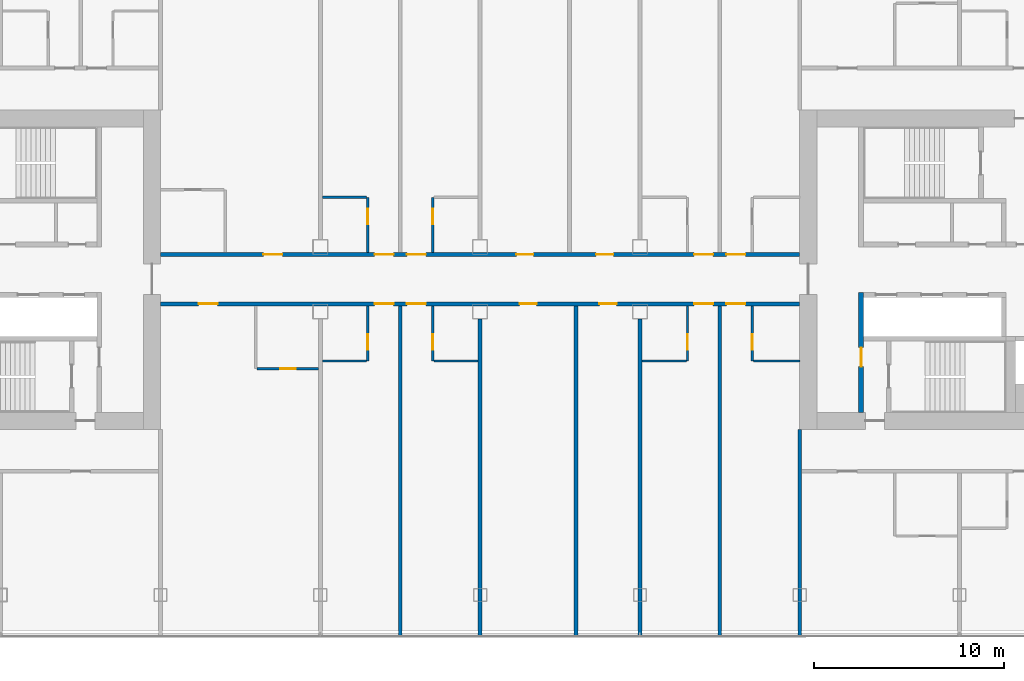
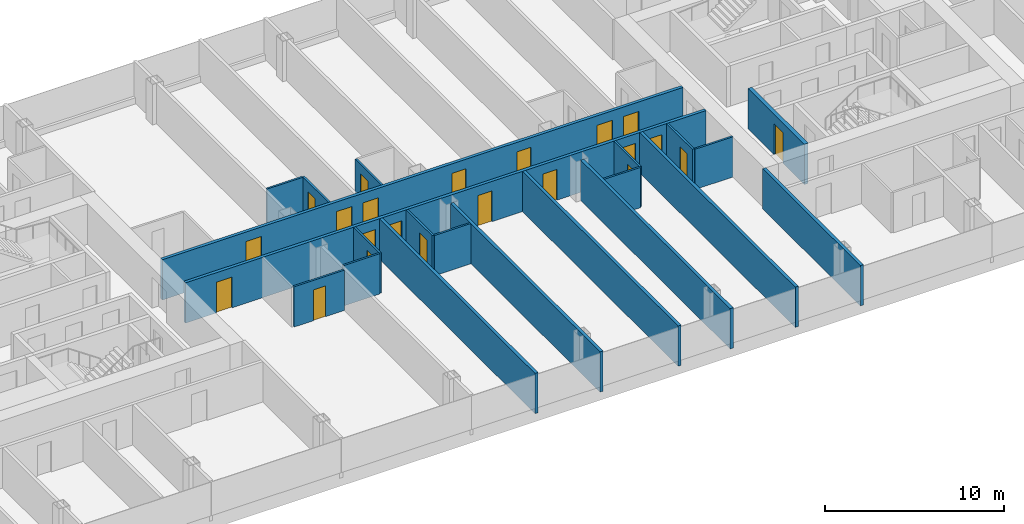
# One storey, part 14 of 26: 22 doors, 21 walls, 22 openings.
"""IFC4 building model written with IfcOpenShell, lengths in metres."""

from ifc_helpers import new_model, si_unit, direction, frame, frame_2d, origin, place, context, subcontext, project, spatial, rectangle, extrude, material, layer, layer_set, type_object, element, fill, save


model = new_model("IFC4")

# Units and contexts
model_context = context("Model", 3, precision=1e-05, world=origin(), true_north=direction((0.0, 1.0)))
body_context = subcontext(model_context, "Body", "Model", "MODEL_VIEW")
ifc_project = project(units=[si_unit("LENGTHUNIT", "METRE"), si_unit("AREAUNIT", "SQUARE_METRE"), si_unit("VOLUMEUNIT", "CUBIC_METRE"), si_unit("PLANEANGLEUNIT", "RADIAN"), si_unit("MASSUNIT", "GRAM", prefix="KILO")], contexts=[model_context])

# Site, building, storey
site_placement = place(None, origin())
site = spatial("IfcSite", under=ifc_project, at=site_placement, CompositionType="ELEMENT")
building_placement = place(site_placement, origin())
building = spatial("IfcBuilding", under=site, at=building_placement, Name="Hakoniwa Tower and Hamabe Station Hall", CompositionType="ELEMENT")
storey_placement = place(building_placement, frame((0.0, 0.0, 153.39990234375)))
storey = spatial("IfcBuildingStorey", under=building, at=storey_placement, Name="L43", CompositionType="ELEMENT", Elevation=153.39990234375)

# Wall, opening, door
ifc_material_1 = material(Name="Gypsum board partition", Category="gypsum")
ifc_layer_1 = layer(ifc_material_1, 0.125)
ifc_layer_set_1 = layer_set([ifc_layer_1], Name="Bathroom Partition 125")
wall_type_1 = type_object("IfcWallType", Name="Bathroom Partition 125", PredefinedType="PARTITIONING", material=ifc_layer_set_1)
wall_1_placement = place(storey_placement, frame((-11.737548828125, -5.199951171875, 0.0), z_axis=(0.0, 0.0, 1.0), x_axis=(1.0, 0.0, 0.0)))
wall_1 = element("IfcWall", 1, at=wall_1_placement, inside=storey, type_object=wall_type_1, Name="GW-L43-009", PredefinedType="PARTITIONING", context=body_context, shape_type="SweptSolid", body=[
    extrude(rectangle(XDim=3.237548828125, YDim=0.125, at=frame_2d((1.61865234375, 0.0))), origin(), (0.0, 0.0, 1.0), 2.75),
])
opening_1_placement = place(wall_1_placement, frame((1.237548828125, 0.0, 0.0)))
opening_1 = element("IfcOpeningElement", 2, at=opening_1_placement, cuts=wall_1, Name="Opening GD-G3C1-16", PredefinedType="OPENING", context=body_context, shape_type="SweptSolid", body=[
    extrude(rectangle(XDim=0.800048828125, YDim=2.10009765625, at=frame_2d((0.39990234375, 1.050048828125))), frame((0.0, 0.072509765625, 0.0), z_axis=(0.0, -1.0, 0.0), x_axis=(1.0, 0.0, 0.0)), (0.0, 0.0, 1.0), 0.14501953125),
])
ifc_material_2 = material(Name="Timber door leaf", Category="wood")
door_type_1 = type_object("IfcDoorType", Name="Bathroom Door 800", OperationType="SINGLE_SWING_LEFT", PredefinedType="DOOR", material=ifc_material_2)
door_1_placement = place(opening_1_placement, origin())
door_1 = element("IfcDoor", 3, at=door_1_placement, inside=storey, type_object=door_type_1, Name="Door GD-G3C1-16", OperationType="SINGLE_SWING_RIGHT", OverallHeight=2.10009765625, OverallWidth=0.800048828125, PredefinedType="DOOR", context=body_context, shape_type="SweptSolid", body=[
    extrude(rectangle(XDim=0.800048828125, YDim=2.10009765625, at=frame_2d((0.39990234375, 1.050048828125))), frame((0.0, 0.02490234375, 0.0), z_axis=(0.0, -1.0, 0.0), x_axis=(1.0, 0.0, 0.0)), (0.0, 0.0, 1.0), 0.050048828125),
])
fill(opening_1, door_1)

# Walls
wall_2_placement = place(storey_placement, frame((-8.300048828125, -4.800048828125, 0.0), z_axis=(0.0, 0.0, 1.0), x_axis=(1.0, 0.0, 0.0)))
element("IfcWall", 4, at=wall_2_placement, inside=storey, type_object=wall_type_1, Name="GW-L43-010", PredefinedType="PARTITIONING", context=body_context, shape_type="SweptSolid", body=[
    extrude(rectangle(XDim=2.337646484375, YDim=0.125, at=frame_2d((1.1689453125, 0.0))), origin(), (0.0, 0.0, 1.0), 2.75),
])
for number, where, z_axis, x_axis, name in (
    (5, (-2.4375, -4.800048828125, 0.0), (0.0, 0.0, 1.0), (1.0, 0.0, 0.0), "GW-L43-011"),
    (6, (8.5, -4.800048828125, 0.0), (0.0, 0.0, 1.0), (1.0, 0.0, 0.0), "GW-L43-012"),
):
    element("IfcWall", number, at=place(storey_placement, frame(where, z_axis=z_axis, x_axis=x_axis)), inside=storey, type_object=wall_type_1, Name=name, PredefinedType="PARTITIONING", context=body_context, shape_type="SweptSolid", body=[
        extrude(rectangle(XDim=2.33740234375, YDim=0.125, at=frame_2d((1.168701171875, 0.0))), origin(), (0.0, 0.0, 1.0), 2.75),
    ])
wall_3_placement = place(storey_placement, frame((14.362548828125, -4.800048828125, 0.0), z_axis=(0.0, 0.0, 1.0), x_axis=(1.0, 0.0, 0.0)))
element("IfcWall", 7, at=wall_3_placement, inside=storey, type_object=wall_type_1, Name="GW-L43-013", PredefinedType="PARTITIONING", context=body_context, shape_type="SweptSolid", body=[
    extrude(rectangle(XDim=2.447509765625, YDim=0.125, at=frame_2d((1.2236328125, 0.0))), origin(), (0.0, 0.0, 1.0), 2.75),
])
wall_4_placement = place(storey_placement, frame((-8.300048828125, 3.800048828125, 0.0), z_axis=(0.0, 0.0, 1.0), x_axis=(1.0, 0.0, 0.0)))
element("IfcWall", 8, at=wall_4_placement, inside=storey, type_object=wall_type_1, Name="GW-L43-018", PredefinedType="PARTITIONING", context=body_context, shape_type="SweptSolid", body=[
    extrude(rectangle(XDim=2.337646484375, YDim=0.125, at=frame_2d((1.1689453125, 0.0))), origin(), (0.0, 0.0, 1.0), 2.75),
])

# Wall, opening, door
wall_5_placement = place(storey_placement, frame((-5.89990234375, -4.800048828125, 0.0), z_axis=(0.0, 0.0, 1.0), x_axis=(0.0, 1.0, 0.0)))
wall_5 = element("IfcWall", 9, at=wall_5_placement, inside=storey, type_object=wall_type_1, Name="GW-L43-058", PredefinedType="PARTITIONING", context=body_context, shape_type="SweptSolid", body=[
    extrude(rectangle(XDim=2.900146484375, YDim=0.125, at=frame_2d((1.4501953125, 0.0))), origin(), (0.0, 0.0, 1.0), 2.75),
])
opening_2_placement = place(wall_5_placement, frame((0.60009765625, 0.0, 0.0)))
opening_2 = element("IfcOpeningElement", 10, at=opening_2_placement, cuts=wall_5, Name="Opening GD-G3C1-52", PredefinedType="OPENING", context=body_context, shape_type="SweptSolid", body=[
    extrude(rectangle(XDim=0.800048828125, YDim=2.10009765625, at=frame_2d((0.39990234375, 1.050048828125))), frame((0.0, 0.072509765625, 0.0), z_axis=(0.0, -1.0, 0.0), x_axis=(1.0, 0.0, 0.0)), (0.0, 0.0, 1.0), 0.14501953125),
])
door_2_placement = place(opening_2_placement, origin())
door_2 = element("IfcDoor", 11, at=door_2_placement, inside=storey, type_object=door_type_1, Name="Door GD-G3C1-52", OperationType="SINGLE_SWING_RIGHT", OverallHeight=2.10009765625, OverallWidth=0.800048828125, PredefinedType="DOOR", context=body_context, shape_type="SweptSolid", body=[
    extrude(rectangle(XDim=0.800048828125, YDim=2.10009765625, at=frame_2d((0.39990234375, 1.050048828125))), frame((0.0, 0.02490234375, 0.0), z_axis=(0.0, -1.0, 0.0), x_axis=(1.0, 0.0, 0.0)), (0.0, 0.0, 1.0), 0.050048828125),
])
fill(opening_2, door_2)

wall_6_placement = place(storey_placement, frame((-5.89990234375, 0.89990234375, 0.0), z_axis=(0.0, 0.0, 1.0), x_axis=(0.0, 1.0, 0.0)))
wall_6 = element("IfcWall", 12, at=wall_6_placement, inside=storey, type_object=wall_type_1, Name="GW-L43-059", PredefinedType="PARTITIONING", context=body_context, shape_type="SweptSolid", body=[
    extrude(rectangle(XDim=2.900146484375, YDim=0.125, at=frame_2d((1.4501953125, 0.0))), origin(), (0.0, 0.0, 1.0), 2.75),
])
opening_3_placement = place(wall_6_placement, frame((1.5, 0.0, 0.0)))
opening_3 = element("IfcOpeningElement", 13, at=opening_3_placement, cuts=wall_6, Name="Opening GD-G3C1-53", PredefinedType="OPENING", context=body_context, shape_type="SweptSolid", body=[
    extrude(rectangle(XDim=0.800048828125, YDim=2.10009765625, at=frame_2d((0.39990234375, 1.050048828125))), frame((0.0, 0.072509765625, 0.0), z_axis=(0.0, -1.0, 0.0), x_axis=(1.0, 0.0, 0.0)), (0.0, 0.0, 1.0), 0.14501953125),
])
door_3_placement = place(opening_3_placement, origin())
door_3 = element("IfcDoor", 14, at=door_3_placement, inside=storey, type_object=door_type_1, Name="Door GD-G3C1-53", OperationType="SINGLE_SWING_LEFT", OverallHeight=2.10009765625, OverallWidth=0.800048828125, PredefinedType="DOOR", context=body_context, shape_type="SweptSolid", body=[
    extrude(rectangle(XDim=0.800048828125, YDim=2.10009765625, at=frame_2d((0.39990234375, 1.050048828125))), frame((0.0, 0.02490234375, 0.0), z_axis=(0.0, -1.0, 0.0), x_axis=(1.0, 0.0, 0.0)), (0.0, 0.0, 1.0), 0.050048828125),
])
fill(opening_3, door_3)

wall_7_placement = place(storey_placement, frame((-2.5, -4.800048828125, 0.0), z_axis=(0.0, 0.0, 1.0), x_axis=(0.0, 1.0, 0.0)))
wall_7 = element("IfcWall", 15, at=wall_7_placement, inside=storey, type_object=wall_type_1, Name="GW-L43-062", PredefinedType="PARTITIONING", context=body_context, shape_type="SweptSolid", body=[
    extrude(rectangle(XDim=2.900146484375, YDim=0.125, at=frame_2d((1.4501953125, 0.0))), origin(), (0.0, 0.0, 1.0), 2.75),
])
opening_4_placement = place(wall_7_placement, frame((0.60009765625, 0.0, 0.0)))
opening_4 = element("IfcOpeningElement", 16, at=opening_4_placement, cuts=wall_7, Name="Opening GD-G3C1-54", PredefinedType="OPENING", context=body_context, shape_type="SweptSolid", body=[
    extrude(rectangle(XDim=0.800048828125, YDim=2.10009765625, at=frame_2d((0.39990234375, 1.050048828125))), frame((0.0, 0.072509765625, 0.0), z_axis=(0.0, -1.0, 0.0), x_axis=(1.0, 0.0, 0.0)), (0.0, 0.0, 1.0), 0.14501953125),
])
door_4_placement = place(opening_4_placement, origin())
door_4 = element("IfcDoor", 17, at=door_4_placement, inside=storey, type_object=door_type_1, Name="Door GD-G3C1-54", OperationType="SINGLE_SWING_LEFT", OverallHeight=2.10009765625, OverallWidth=0.800048828125, PredefinedType="DOOR", context=body_context, shape_type="SweptSolid", body=[
    extrude(rectangle(XDim=0.800048828125, YDim=2.10009765625, at=frame_2d((0.39990234375, 1.050048828125))), frame((0.0, 0.02490234375, 0.0), z_axis=(0.0, -1.0, 0.0), x_axis=(1.0, 0.0, 0.0)), (0.0, 0.0, 1.0), 0.050048828125),
])
fill(opening_4, door_4)

wall_8_placement = place(storey_placement, frame((-2.5, 0.89990234375, 0.0), z_axis=(0.0, 0.0, 1.0), x_axis=(0.0, 1.0, 0.0)))
wall_8 = element("IfcWall", 18, at=wall_8_placement, inside=storey, type_object=wall_type_1, Name="GW-L43-063", PredefinedType="PARTITIONING", context=body_context, shape_type="SweptSolid", body=[
    extrude(rectangle(XDim=2.900146484375, YDim=0.125, at=frame_2d((1.4501953125, 0.0))), origin(), (0.0, 0.0, 1.0), 2.75),
])
opening_5_placement = place(wall_8_placement, frame((1.5, 0.0, 0.0)))
opening_5 = element("IfcOpeningElement", 19, at=opening_5_placement, cuts=wall_8, Name="Opening GD-G3C1-55", PredefinedType="OPENING", context=body_context, shape_type="SweptSolid", body=[
    extrude(rectangle(XDim=0.800048828125, YDim=2.10009765625, at=frame_2d((0.39990234375, 1.050048828125))), frame((0.0, 0.072509765625, 0.0), z_axis=(0.0, -1.0, 0.0), x_axis=(1.0, 0.0, 0.0)), (0.0, 0.0, 1.0), 0.14501953125),
])
door_5_placement = place(opening_5_placement, origin())
door_5 = element("IfcDoor", 20, at=door_5_placement, inside=storey, type_object=door_type_1, Name="Door GD-G3C1-55", OperationType="SINGLE_SWING_RIGHT", OverallHeight=2.10009765625, OverallWidth=0.800048828125, PredefinedType="DOOR", context=body_context, shape_type="SweptSolid", body=[
    extrude(rectangle(XDim=0.800048828125, YDim=2.10009765625, at=frame_2d((0.39990234375, 1.050048828125))), frame((0.0, 0.02490234375, 0.0), z_axis=(0.0, -1.0, 0.0), x_axis=(1.0, 0.0, 0.0)), (0.0, 0.0, 1.0), 0.050048828125),
])
fill(opening_5, door_5)

wall_9_placement = place(storey_placement, frame((10.89990234375, -4.800048828125, 0.0), z_axis=(0.0, 0.0, 1.0), x_axis=(0.0, 1.0, 0.0)))
wall_9 = element("IfcWall", 21, at=wall_9_placement, inside=storey, type_object=wall_type_1, Name="GW-L43-070", PredefinedType="PARTITIONING", context=body_context, shape_type="SweptSolid", body=[
    extrude(rectangle(XDim=2.900146484375, YDim=0.125, at=frame_2d((1.4501953125, 0.0))), origin(), (0.0, 0.0, 1.0), 2.75),
])
opening_6_placement = place(wall_9_placement, frame((0.60009765625, 0.0, 0.0)))
opening_6 = element("IfcOpeningElement", 22, at=opening_6_placement, cuts=wall_9, Name="Opening GD-G3C1-56", PredefinedType="OPENING", context=body_context, shape_type="SweptSolid", body=[
    extrude(rectangle(XDim=0.800048828125, YDim=2.10009765625, at=frame_2d((0.39990234375, 1.050048828125))), frame((0.0, 0.072509765625, 0.0), z_axis=(0.0, -1.0, 0.0), x_axis=(1.0, 0.0, 0.0)), (0.0, 0.0, 1.0), 0.14501953125),
])
door_6_placement = place(opening_6_placement, origin())
door_6 = element("IfcDoor", 23, at=door_6_placement, inside=storey, type_object=door_type_1, Name="Door GD-G3C1-56", OperationType="SINGLE_SWING_RIGHT", OverallHeight=2.10009765625, OverallWidth=0.800048828125, PredefinedType="DOOR", context=body_context, shape_type="SweptSolid", body=[
    extrude(rectangle(XDim=0.800048828125, YDim=2.10009765625, at=frame_2d((0.39990234375, 1.050048828125))), frame((0.0, 0.02490234375, 0.0), z_axis=(0.0, -1.0, 0.0), x_axis=(1.0, 0.0, 0.0)), (0.0, 0.0, 1.0), 0.050048828125),
])
fill(opening_6, door_6)

wall_10_placement = place(storey_placement, frame((14.300048828125, -4.800048828125, 0.0), z_axis=(0.0, 0.0, 1.0), x_axis=(0.0, 1.0, 0.0)))
wall_10 = element("IfcWall", 24, at=wall_10_placement, inside=storey, type_object=wall_type_1, Name="GW-L43-074", PredefinedType="PARTITIONING", context=body_context, shape_type="SweptSolid", body=[
    extrude(rectangle(XDim=2.900146484375, YDim=0.125, at=frame_2d((1.4501953125, 0.0))), origin(), (0.0, 0.0, 1.0), 2.75),
])
opening_7_placement = place(wall_10_placement, frame((0.60009765625, 0.0, 0.0)))
opening_7 = element("IfcOpeningElement", 25, at=opening_7_placement, cuts=wall_10, Name="Opening GD-G3C1-58", PredefinedType="OPENING", context=body_context, shape_type="SweptSolid", body=[
    extrude(rectangle(XDim=0.800048828125, YDim=2.10009765625, at=frame_2d((0.39990234375, 1.050048828125))), frame((0.0, 0.072509765625, 0.0), z_axis=(0.0, -1.0, 0.0), x_axis=(1.0, 0.0, 0.0)), (0.0, 0.0, 1.0), 0.14501953125),
])
door_7_placement = place(opening_7_placement, origin())
door_7 = element("IfcDoor", 26, at=door_7_placement, inside=storey, type_object=door_type_1, Name="Door GD-G3C1-58", OperationType="SINGLE_SWING_LEFT", OverallHeight=2.10009765625, OverallWidth=0.800048828125, PredefinedType="DOOR", context=body_context, shape_type="SweptSolid", body=[
    extrude(rectangle(XDim=0.800048828125, YDim=2.10009765625, at=frame_2d((0.39990234375, 1.050048828125))), frame((0.0, 0.02490234375, 0.0), z_axis=(0.0, -1.0, 0.0), x_axis=(1.0, 0.0, 0.0)), (0.0, 0.0, 1.0), 0.050048828125),
])
fill(opening_7, door_7)

ifc_material_3 = material(Name="Concrete C66", Category="concrete")
ifc_layer_2 = layer(ifc_material_3, 0.25)
ifc_layer_set_2 = layer_set([ifc_layer_2], Name="CORE WEB WALL 250 C66")
wall_type_2 = type_object("IfcWallType", Name="CORE WEB WALL 250 C66", PredefinedType="SHEAR", material=ifc_layer_set_2)
wall_11_placement = place(storey_placement, frame((20.02490234375, -7.5, 0.0), z_axis=(0.0, 0.0, 1.0), x_axis=(0.0, 1.0, 0.0)))
wall_11 = element("IfcWall", 27, at=wall_11_placement, inside=storey, type_object=wall_type_2, Name="Core wall W1S east", PredefinedType="SHEAR", context=body_context, shape_type="SweptSolid", body=[
    extrude(rectangle(XDim=6.300048828125, YDim=0.25, at=frame_2d((3.14990234375, 0.0))), origin(), (0.0, 0.0, 1.0), 2.75),
])
opening_8_placement = place(wall_11_placement, frame((2.39990234375, 0.0, 0.0)))
opening_8 = element("IfcOpeningElement", 28, at=opening_8_placement, cuts=wall_11, Name="Opening CD-E-VS-10", PredefinedType="OPENING", context=body_context, shape_type="SweptSolid", body=[
    extrude(rectangle(XDim=1.0, YDim=2.10009765625, at=frame_2d((0.5, 1.050048828125))), frame((0.0, 0.135009765625, 0.0), z_axis=(0.0, -1.0, 0.0), x_axis=(1.0, 0.0, 0.0)), (0.0, 0.0, 1.0), 0.27001953125),
])
ifc_material_4 = material(Name="Steel fire door", Category="steel")
door_type_2 = type_object("IfcDoorType", Name="CORE DOOR 1000 FD60", OperationType="NOTDEFINED", PredefinedType="DOOR", material=ifc_material_4)
door_8_placement = place(opening_8_placement, origin())
door_8 = element("IfcDoor", 29, at=door_8_placement, inside=storey, type_object=door_type_2, Name="Stair vestibule door", OperationType="SINGLE_SWING_RIGHT", OverallHeight=2.10009765625, OverallWidth=1.0, PredefinedType="DOOR", context=body_context, shape_type="SweptSolid", body=[
    extrude(rectangle(XDim=1.0, YDim=2.10009765625, at=frame_2d((0.5, 1.050048828125))), frame((0.0, 0.02490234375, 0.0), z_axis=(0.0, -1.0, 0.0), x_axis=(1.0, 0.0, 0.0)), (0.0, 0.0, 1.0), 0.050048828125),
])
fill(opening_8, door_8)

# Wall, openings, doors
ifc_material_5 = material(Name="Fire-rated gypsum board partition", Category="gypsum")
ifc_layer_3 = layer(ifc_material_5, 0.199951171875)
ifc_layer_set_3 = layer_set([ifc_layer_3], Name="Corridor Wall 200")
wall_type_3 = type_object("IfcWallType", Name="Corridor Wall 200", PredefinedType="PARTITIONING", material=ifc_layer_set_3)
wall_12_placement = place(storey_placement, frame((-16.800048828125, -1.800048828125, 0.0), z_axis=(0.0, 0.0, 1.0), x_axis=(1.0, 0.0, 0.0)))
wall_12 = element("IfcWall", 30, at=wall_12_placement, inside=storey, type_object=wall_type_3, Name="GW-L43-014", PredefinedType="PARTITIONING", context=body_context, shape_type="SweptSolid", body=[
    extrude(rectangle(XDim=33.60009765625, YDim=0.199951171875, at=frame_2d((16.800048828125, 0.0))), origin(), (0.0, 0.0, 1.0), 2.75),
])
opening_9_placement = place(wall_12_placement, frame((2.0, 0.0, 0.0)))
opening_9 = element("IfcOpeningElement", 31, at=opening_9_placement, cuts=wall_12, Name="Opening GD-G3C1-17", PredefinedType="OPENING", context=body_context, shape_type="SweptSolid", body=[
    extrude(rectangle(XDim=1.0, YDim=2.10009765625, at=frame_2d((0.5, 1.050048828125))), frame((0.0, 0.10986328125, 0.0), z_axis=(0.0, -1.0, 0.0), x_axis=(1.0, 0.0, 0.0)), (0.0, 0.0, 1.0), 0.219970703125),
])
opening_10_placement = place(wall_12_placement, frame((11.25, 0.0, 0.0)))
opening_10 = element("IfcOpeningElement", 32, at=opening_10_placement, cuts=wall_12, Name="Opening GD-G3C1-18", PredefinedType="OPENING", context=body_context, shape_type="SweptSolid", body=[
    extrude(rectangle(XDim=1.0, YDim=2.10009765625, at=frame_2d((0.5, 1.050048828125))), frame((0.0, 0.10986328125, 0.0), z_axis=(0.0, -1.0, 0.0), x_axis=(1.0, 0.0, 0.0)), (0.0, 0.0, 1.0), 0.219970703125),
])
opening_11_placement = place(wall_12_placement, frame((12.949951171875, 0.0, 0.0)))
opening_11 = element("IfcOpeningElement", 33, at=opening_11_placement, cuts=wall_12, Name="Opening GD-G3C1-19", PredefinedType="OPENING", context=body_context, shape_type="SweptSolid", body=[
    extrude(rectangle(XDim=1.0, YDim=2.10009765625, at=frame_2d((0.5, 1.050048828125))), frame((0.0, 0.10986328125, 0.0), z_axis=(0.0, -1.0, 0.0), x_axis=(1.0, 0.0, 0.0)), (0.0, 0.0, 1.0), 0.219970703125),
])
opening_12_placement = place(wall_12_placement, frame((18.8701171875, 0.0, 0.0)))
opening_12 = element("IfcOpeningElement", 34, at=opening_12_placement, cuts=wall_12, Name="Opening GD-G3C1-20", PredefinedType="OPENING", context=body_context, shape_type="SweptSolid", body=[
    extrude(rectangle(XDim=0.89990234375, YDim=2.10009765625, at=frame_2d((0.449951171875, 1.050048828125))), frame((0.0, 0.10986328125, 0.0), z_axis=(0.0, -1.0, 0.0), x_axis=(1.0, 0.0, 0.0)), (0.0, 0.0, 1.0), 0.219970703125),
])
opening_13_placement = place(wall_12_placement, frame((23.070068359375, 0.0, 0.0)))
opening_13 = element("IfcOpeningElement", 35, at=opening_13_placement, cuts=wall_12, Name="Opening GD-G3C1-21", PredefinedType="OPENING", context=body_context, shape_type="SweptSolid", body=[
    extrude(rectangle(XDim=0.89990234375, YDim=2.10009765625, at=frame_2d((0.449951171875, 1.050048828125))), frame((0.0, 0.10986328125, 0.0), z_axis=(0.0, -1.0, 0.0), x_axis=(1.0, 0.0, 0.0)), (0.0, 0.0, 1.0), 0.219970703125),
])
opening_14_placement = place(wall_12_placement, frame((28.050048828125, 0.0, 0.0)))
opening_14 = element("IfcOpeningElement", 36, at=opening_14_placement, cuts=wall_12, Name="Opening GD-G3C1-22", PredefinedType="OPENING", context=body_context, shape_type="SweptSolid", body=[
    extrude(rectangle(XDim=1.0, YDim=2.10009765625, at=frame_2d((0.5, 1.050048828125))), frame((0.0, 0.10986328125, 0.0), z_axis=(0.0, -1.0, 0.0), x_axis=(1.0, 0.0, 0.0)), (0.0, 0.0, 1.0), 0.219970703125),
])
opening_15_placement = place(wall_12_placement, frame((29.75, 0.0, 0.0)))
opening_15 = element("IfcOpeningElement", 37, at=opening_15_placement, cuts=wall_12, Name="Opening GD-G3C1-23", PredefinedType="OPENING", context=body_context, shape_type="SweptSolid", body=[
    extrude(rectangle(XDim=1.0, YDim=2.10009765625, at=frame_2d((0.5, 1.050048828125))), frame((0.0, 0.10986328125, 0.0), z_axis=(0.0, -1.0, 0.0), x_axis=(1.0, 0.0, 0.0)), (0.0, 0.0, 1.0), 0.219970703125),
])
ifc_material_6 = material(Name="Timber door leaf", Category="wood")
door_type_3 = type_object("IfcDoorType", Name="Guest Entrance Door 1000", OperationType="SINGLE_SWING_LEFT", PredefinedType="DOOR", material=ifc_material_6)
door_9_placement = place(opening_9_placement, origin())
door_9 = element("IfcDoor", 38, at=door_9_placement, inside=storey, type_object=door_type_3, Name="Door GD-G3C1-17", OperationType="SINGLE_SWING_RIGHT", OverallHeight=2.10009765625, OverallWidth=1.0, PredefinedType="DOOR", context=body_context, shape_type="SweptSolid", body=[
    extrude(rectangle(XDim=1.0, YDim=2.10009765625, at=frame_2d((0.5, 1.050048828125))), frame((0.0, 0.02490234375, 0.0), z_axis=(0.0, -1.0, 0.0), x_axis=(1.0, 0.0, 0.0)), (0.0, 0.0, 1.0), 0.050048828125),
])
fill(opening_9, door_9)
door_10_placement = place(opening_10_placement, origin())
door_10 = element("IfcDoor", 39, at=door_10_placement, inside=storey, type_object=door_type_3, Name="Door GD-G3C1-18", OperationType="SINGLE_SWING_LEFT", OverallHeight=2.10009765625, OverallWidth=1.0, PredefinedType="DOOR", context=body_context, shape_type="SweptSolid", body=[
    extrude(rectangle(XDim=1.0, YDim=2.10009765625, at=frame_2d((0.5, 1.050048828125))), frame((0.0, 0.02490234375, 0.0), z_axis=(0.0, -1.0, 0.0), x_axis=(1.0, 0.0, 0.0)), (0.0, 0.0, 1.0), 0.050048828125),
])
fill(opening_10, door_10)
door_11_placement = place(opening_11_placement, origin())
door_11 = element("IfcDoor", 40, at=door_11_placement, inside=storey, type_object=door_type_3, Name="Door GD-G3C1-19", OperationType="SINGLE_SWING_RIGHT", OverallHeight=2.10009765625, OverallWidth=1.0, PredefinedType="DOOR", context=body_context, shape_type="SweptSolid", body=[
    extrude(rectangle(XDim=1.0, YDim=2.10009765625, at=frame_2d((0.5, 1.050048828125))), frame((0.0, 0.02490234375, 0.0), z_axis=(0.0, -1.0, 0.0), x_axis=(1.0, 0.0, 0.0)), (0.0, 0.0, 1.0), 0.050048828125),
])
fill(opening_11, door_11)
door_12_placement = place(opening_14_placement, origin())
door_12 = element("IfcDoor", 41, at=door_12_placement, inside=storey, type_object=door_type_3, Name="Door GD-G3C1-22", OperationType="SINGLE_SWING_RIGHT", OverallHeight=2.10009765625, OverallWidth=1.0, PredefinedType="DOOR", context=body_context, shape_type="SweptSolid", body=[
    extrude(rectangle(XDim=1.0, YDim=2.10009765625, at=frame_2d((0.5, 1.050048828125))), frame((0.0, 0.02490234375, 0.0), z_axis=(0.0, -1.0, 0.0), x_axis=(1.0, 0.0, 0.0)), (0.0, 0.0, 1.0), 0.050048828125),
])
fill(opening_14, door_12)
door_13_placement = place(opening_15_placement, origin())
door_13 = element("IfcDoor", 42, at=door_13_placement, inside=storey, type_object=door_type_3, Name="Door GD-G3C1-23", OperationType="SINGLE_SWING_LEFT", OverallHeight=2.10009765625, OverallWidth=1.0, PredefinedType="DOOR", context=body_context, shape_type="SweptSolid", body=[
    extrude(rectangle(XDim=1.0, YDim=2.10009765625, at=frame_2d((0.5, 1.050048828125))), frame((0.0, 0.02490234375, 0.0), z_axis=(0.0, -1.0, 0.0), x_axis=(1.0, 0.0, 0.0)), (0.0, 0.0, 1.0), 0.050048828125),
])
fill(opening_15, door_13)
ifc_material_7 = material(Name="Timber door leaf", Category="wood")
door_type_4 = type_object("IfcDoorType", Name="Service Door 900", OperationType="SINGLE_SWING_LEFT", PredefinedType="DOOR", material=ifc_material_7)
door_14_placement = place(opening_12_placement, origin())
door_14 = element("IfcDoor", 43, at=door_14_placement, inside=storey, type_object=door_type_4, Name="Door GD-G3C1-20", OperationType="SINGLE_SWING_RIGHT", OverallHeight=2.10009765625, OverallWidth=0.89990234375, PredefinedType="DOOR", context=body_context, shape_type="SweptSolid", body=[
    extrude(rectangle(XDim=0.89990234375, YDim=2.10009765625, at=frame_2d((0.449951171875, 1.050048828125))), frame((0.0, 0.02490234375, 0.0), z_axis=(0.0, -1.0, 0.0), x_axis=(1.0, 0.0, 0.0)), (0.0, 0.0, 1.0), 0.050048828125),
])
fill(opening_12, door_14)
door_15_placement = place(opening_13_placement, origin())
door_15 = element("IfcDoor", 44, at=door_15_placement, inside=storey, type_object=door_type_4, Name="Door GD-G3C1-21", OperationType="SINGLE_SWING_LEFT", OverallHeight=2.10009765625, OverallWidth=0.89990234375, PredefinedType="DOOR", context=body_context, shape_type="SweptSolid", body=[
    extrude(rectangle(XDim=0.89990234375, YDim=2.10009765625, at=frame_2d((0.449951171875, 1.050048828125))), frame((0.0, 0.02490234375, 0.0), z_axis=(0.0, -1.0, 0.0), x_axis=(1.0, 0.0, 0.0)), (0.0, 0.0, 1.0), 0.050048828125),
])
fill(opening_13, door_15)

wall_13_placement = place(storey_placement, frame((-16.800048828125, 0.800048828125, 0.0), z_axis=(0.0, 0.0, 1.0), x_axis=(1.0, 0.0, 0.0)))
wall_13 = element("IfcWall", 45, at=wall_13_placement, inside=storey, type_object=wall_type_3, Name="GW-L43-017", PredefinedType="PARTITIONING", context=body_context, shape_type="SweptSolid", body=[
    extrude(rectangle(XDim=33.60009765625, YDim=0.199951171875, at=frame_2d((16.800048828125, 0.0))), origin(), (0.0, 0.0, 1.0), 2.75),
])
opening_16_placement = place(wall_13_placement, frame((5.39990234375, 0.0, 0.0)))
opening_16 = element("IfcOpeningElement", 46, at=opening_16_placement, cuts=wall_13, Name="Opening GD-G3C1-24", PredefinedType="OPENING", context=body_context, shape_type="SweptSolid", body=[
    extrude(rectangle(XDim=1.0, YDim=2.10009765625, at=frame_2d((0.5, 1.050048828125))), frame((0.0, 0.10986328125, 0.0), z_axis=(0.0, -1.0, 0.0), x_axis=(1.0, 0.0, 0.0)), (0.0, 0.0, 1.0), 0.219970703125),
])
opening_17_placement = place(wall_13_placement, frame((11.25, 0.0, 0.0)))
opening_17 = element("IfcOpeningElement", 47, at=opening_17_placement, cuts=wall_13, Name="Opening GD-G3C1-25", PredefinedType="OPENING", context=body_context, shape_type="SweptSolid", body=[
    extrude(rectangle(XDim=1.0, YDim=2.10009765625, at=frame_2d((0.5, 1.050048828125))), frame((0.0, 0.10986328125, 0.0), z_axis=(0.0, -1.0, 0.0), x_axis=(1.0, 0.0, 0.0)), (0.0, 0.0, 1.0), 0.219970703125),
])
opening_18_placement = place(wall_13_placement, frame((12.949951171875, 0.0, 0.0)))
opening_18 = element("IfcOpeningElement", 48, at=opening_18_placement, cuts=wall_13, Name="Opening GD-G3C1-26", PredefinedType="OPENING", context=body_context, shape_type="SweptSolid", body=[
    extrude(rectangle(XDim=1.0, YDim=2.10009765625, at=frame_2d((0.5, 1.050048828125))), frame((0.0, 0.10986328125, 0.0), z_axis=(0.0, -1.0, 0.0), x_axis=(1.0, 0.0, 0.0)), (0.0, 0.0, 1.0), 0.219970703125),
])
opening_19_placement = place(wall_13_placement, frame((18.699951171875, 0.0, 0.0)))
opening_19 = element("IfcOpeningElement", 49, at=opening_19_placement, cuts=wall_13, Name="Opening GD-G3C1-27", PredefinedType="OPENING", context=body_context, shape_type="SweptSolid", body=[
    extrude(rectangle(XDim=0.89990234375, YDim=2.10009765625, at=frame_2d((0.449951171875, 1.050048828125))), frame((0.0, 0.10986328125, 0.0), z_axis=(0.0, -1.0, 0.0), x_axis=(1.0, 0.0, 0.0)), (0.0, 0.0, 1.0), 0.219970703125),
])
opening_20_placement = place(wall_13_placement, frame((22.89990234375, 0.0, 0.0)))
opening_20 = element("IfcOpeningElement", 50, at=opening_20_placement, cuts=wall_13, Name="Opening GD-G3C1-28", PredefinedType="OPENING", context=body_context, shape_type="SweptSolid", body=[
    extrude(rectangle(XDim=0.89990234375, YDim=2.10009765625, at=frame_2d((0.449951171875, 1.050048828125))), frame((0.0, 0.10986328125, 0.0), z_axis=(0.0, -1.0, 0.0), x_axis=(1.0, 0.0, 0.0)), (0.0, 0.0, 1.0), 0.219970703125),
])
opening_21_placement = place(wall_13_placement, frame((28.050048828125, 0.0, 0.0)))
opening_21 = element("IfcOpeningElement", 51, at=opening_21_placement, cuts=wall_13, Name="Opening GD-G3C1-29", PredefinedType="OPENING", context=body_context, shape_type="SweptSolid", body=[
    extrude(rectangle(XDim=1.0, YDim=2.10009765625, at=frame_2d((0.5, 1.050048828125))), frame((0.0, 0.10986328125, 0.0), z_axis=(0.0, -1.0, 0.0), x_axis=(1.0, 0.0, 0.0)), (0.0, 0.0, 1.0), 0.219970703125),
])
opening_22_placement = place(wall_13_placement, frame((29.75, 0.0, 0.0)))
opening_22 = element("IfcOpeningElement", 52, at=opening_22_placement, cuts=wall_13, Name="Opening GD-G3C1-30", PredefinedType="OPENING", context=body_context, shape_type="SweptSolid", body=[
    extrude(rectangle(XDim=1.0, YDim=2.10009765625, at=frame_2d((0.5, 1.050048828125))), frame((0.0, 0.10986328125, 0.0), z_axis=(0.0, -1.0, 0.0), x_axis=(1.0, 0.0, 0.0)), (0.0, 0.0, 1.0), 0.219970703125),
])
door_16_placement = place(opening_16_placement, origin())
door_16 = element("IfcDoor", 53, at=door_16_placement, inside=storey, type_object=door_type_3, Name="Door GD-G3C1-24", OperationType="SINGLE_SWING_LEFT", OverallHeight=2.10009765625, OverallWidth=1.0, PredefinedType="DOOR", context=body_context, shape_type="SweptSolid", body=[
    extrude(rectangle(XDim=1.0, YDim=2.10009765625, at=frame_2d((0.5, 1.050048828125))), frame((0.0, 0.02490234375, 0.0), z_axis=(0.0, -1.0, 0.0), x_axis=(1.0, 0.0, 0.0)), (0.0, 0.0, 1.0), 0.050048828125),
])
fill(opening_16, door_16)
door_17_placement = place(opening_17_placement, origin())
door_17 = element("IfcDoor", 54, at=door_17_placement, inside=storey, type_object=door_type_3, Name="Door GD-G3C1-25", OperationType="SINGLE_SWING_RIGHT", OverallHeight=2.10009765625, OverallWidth=1.0, PredefinedType="DOOR", context=body_context, shape_type="SweptSolid", body=[
    extrude(rectangle(XDim=1.0, YDim=2.10009765625, at=frame_2d((0.5, 1.050048828125))), frame((0.0, 0.02490234375, 0.0), z_axis=(0.0, -1.0, 0.0), x_axis=(1.0, 0.0, 0.0)), (0.0, 0.0, 1.0), 0.050048828125),
])
fill(opening_17, door_17)
door_18_placement = place(opening_18_placement, origin())
door_18 = element("IfcDoor", 55, at=door_18_placement, inside=storey, type_object=door_type_3, Name="Door GD-G3C1-26", OperationType="SINGLE_SWING_LEFT", OverallHeight=2.10009765625, OverallWidth=1.0, PredefinedType="DOOR", context=body_context, shape_type="SweptSolid", body=[
    extrude(rectangle(XDim=1.0, YDim=2.10009765625, at=frame_2d((0.5, 1.050048828125))), frame((0.0, 0.02490234375, 0.0), z_axis=(0.0, -1.0, 0.0), x_axis=(1.0, 0.0, 0.0)), (0.0, 0.0, 1.0), 0.050048828125),
])
fill(opening_18, door_18)
door_19_placement = place(opening_21_placement, origin())
door_19 = element("IfcDoor", 56, at=door_19_placement, inside=storey, type_object=door_type_3, Name="Door GD-G3C1-29", OperationType="SINGLE_SWING_RIGHT", OverallHeight=2.10009765625, OverallWidth=1.0, PredefinedType="DOOR", context=body_context, shape_type="SweptSolid", body=[
    extrude(rectangle(XDim=1.0, YDim=2.10009765625, at=frame_2d((0.5, 1.050048828125))), frame((0.0, 0.02490234375, 0.0), z_axis=(0.0, -1.0, 0.0), x_axis=(1.0, 0.0, 0.0)), (0.0, 0.0, 1.0), 0.050048828125),
])
fill(opening_21, door_19)
door_20_placement = place(opening_22_placement, origin())
door_20 = element("IfcDoor", 57, at=door_20_placement, inside=storey, type_object=door_type_3, Name="Door GD-G3C1-30", OperationType="SINGLE_SWING_RIGHT", OverallHeight=2.10009765625, OverallWidth=1.0, PredefinedType="DOOR", context=body_context, shape_type="SweptSolid", body=[
    extrude(rectangle(XDim=1.0, YDim=2.10009765625, at=frame_2d((0.5, 1.050048828125))), frame((0.0, 0.02490234375, 0.0), z_axis=(0.0, -1.0, 0.0), x_axis=(1.0, 0.0, 0.0)), (0.0, 0.0, 1.0), 0.050048828125),
])
fill(opening_22, door_20)
door_21_placement = place(opening_19_placement, origin())
door_21 = element("IfcDoor", 58, at=door_21_placement, inside=storey, type_object=door_type_4, Name="Door GD-G3C1-27", OperationType="SINGLE_SWING_RIGHT", OverallHeight=2.10009765625, OverallWidth=0.89990234375, PredefinedType="DOOR", context=body_context, shape_type="SweptSolid", body=[
    extrude(rectangle(XDim=0.89990234375, YDim=2.10009765625, at=frame_2d((0.449951171875, 1.050048828125))), frame((0.0, 0.02490234375, 0.0), z_axis=(0.0, -1.0, 0.0), x_axis=(1.0, 0.0, 0.0)), (0.0, 0.0, 1.0), 0.050048828125),
])
fill(opening_19, door_21)
door_22_placement = place(opening_20_placement, origin())
door_22 = element("IfcDoor", 59, at=door_22_placement, inside=storey, type_object=door_type_4, Name="Door GD-G3C1-28", OperationType="SINGLE_SWING_RIGHT", OverallHeight=2.10009765625, OverallWidth=0.89990234375, PredefinedType="DOOR", context=body_context, shape_type="SweptSolid", body=[
    extrude(rectangle(XDim=0.89990234375, YDim=2.10009765625, at=frame_2d((0.449951171875, 1.050048828125))), frame((0.0, 0.02490234375, 0.0), z_axis=(0.0, -1.0, 0.0), x_axis=(1.0, 0.0, 0.0)), (0.0, 0.0, 1.0), 0.050048828125),
])
fill(opening_20, door_22)

# Walls
ifc_material_8 = material(Name="Fire-rated gypsum board partition", Category="gypsum")
ifc_layer_4 = layer(ifc_material_8, 0.199951171875)
ifc_layer_set_4 = layer_set([ifc_layer_4], Name="Party Wall 200")
wall_type_4 = type_object("IfcWallType", Name="Party Wall 200", PredefinedType="PARTITIONING", material=ifc_layer_set_4)
wall_14_placement = place(storey_placement, frame((-4.199951171875, -19.300048828125, 0.0), z_axis=(0.0, 0.0, 1.0), x_axis=(0.0, 1.0, 0.0)))
element("IfcWall", 60, at=wall_14_placement, inside=storey, type_object=wall_type_4, Name="GW-L43-060", PredefinedType="PARTITIONING", context=body_context, shape_type="SweptSolid", body=[
    extrude(rectangle(XDim=17.400146484375, YDim=0.199951171875, at=frame_2d((8.7001953125, 0.0))), origin(), (0.0, 0.0, 1.0), 2.75),
])
wall_15_placement = place(storey_placement, frame((0.0, -19.300048828125, 0.0), z_axis=(0.0, 0.0, 1.0), x_axis=(0.0, 1.0, 0.0)))
element("IfcWall", 61, at=wall_15_placement, inside=storey, type_object=wall_type_4, Name="GW-L43-064", PredefinedType="PARTITIONING", context=body_context, shape_type="SweptSolid", body=[
    extrude(rectangle(XDim=16.7099609375, YDim=0.199951171875, at=frame_2d((8.35498046875, 0.0))), origin(), (0.0, 0.0, 1.0), 2.75),
])
wall_16_placement = place(storey_placement, frame((5.0400390625, -19.300048828125, 0.0), z_axis=(0.0, 0.0, 1.0), x_axis=(0.0, 1.0, 0.0)))
element("IfcWall", 62, at=wall_16_placement, inside=storey, type_object=wall_type_4, Name="GW-L43-067", PredefinedType="PARTITIONING", context=body_context, shape_type="SweptSolid", body=[
    extrude(rectangle(XDim=17.400146484375, YDim=0.199951171875, at=frame_2d((8.7001953125, 0.0))), origin(), (0.0, 0.0, 1.0), 2.75),
])
wall_17_placement = place(storey_placement, frame((8.39990234375, -19.300048828125, 0.0), z_axis=(0.0, 0.0, 1.0), x_axis=(0.0, 1.0, 0.0)))
element("IfcWall", 63, at=wall_17_placement, inside=storey, type_object=wall_type_4, Name="GW-L43-068", PredefinedType="PARTITIONING", context=body_context, shape_type="SweptSolid", body=[
    extrude(rectangle(XDim=16.7099609375, YDim=0.199951171875, at=frame_2d((8.35498046875, 0.0))), origin(), (0.0, 0.0, 1.0), 2.75),
])
wall_18_placement = place(storey_placement, frame((12.60009765625, -19.300048828125, 0.0), z_axis=(0.0, 0.0, 1.0), x_axis=(0.0, 1.0, 0.0)))
element("IfcWall", 64, at=wall_18_placement, inside=storey, type_object=wall_type_4, Name="GW-L43-072", PredefinedType="PARTITIONING", context=body_context, shape_type="SweptSolid", body=[
    extrude(rectangle(XDim=17.400146484375, YDim=0.199951171875, at=frame_2d((8.7001953125, 0.0))), origin(), (0.0, 0.0, 1.0), 2.75),
])
wall_19_placement = place(storey_placement, frame((16.800048828125, -19.300048828125, 0.0), z_axis=(0.0, 0.0, 1.0), x_axis=(0.0, 1.0, 0.0)))
element("IfcWall", 65, at=wall_19_placement, inside=storey, type_object=wall_type_4, Name="GW-L43-076", PredefinedType="PARTITIONING", context=body_context, shape_type="SweptSolid", body=[
    extrude(rectangle(XDim=10.91015625, YDim=0.199951171875, at=frame_2d((5.455078125, 0.0))), origin(), (0.0, 0.0, 1.0), 2.75),
])

save(model, "model.ifc")
